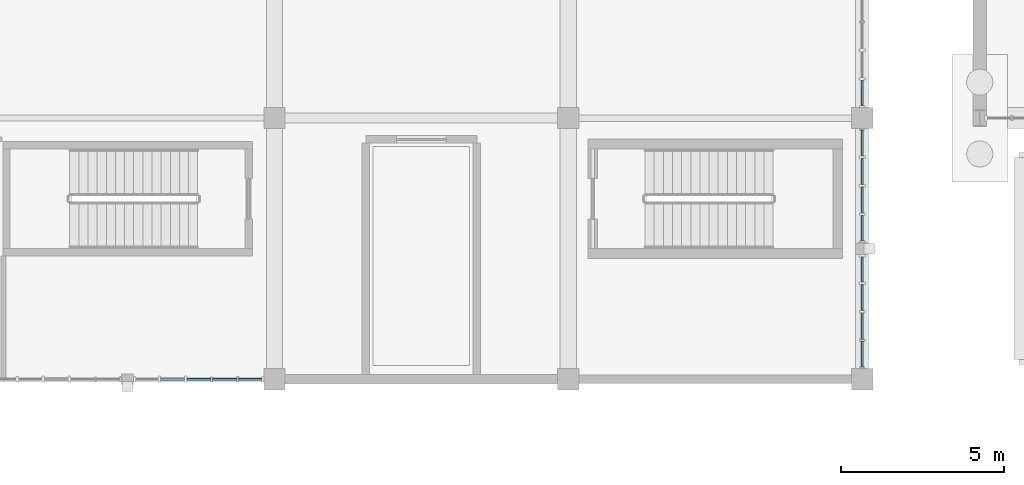
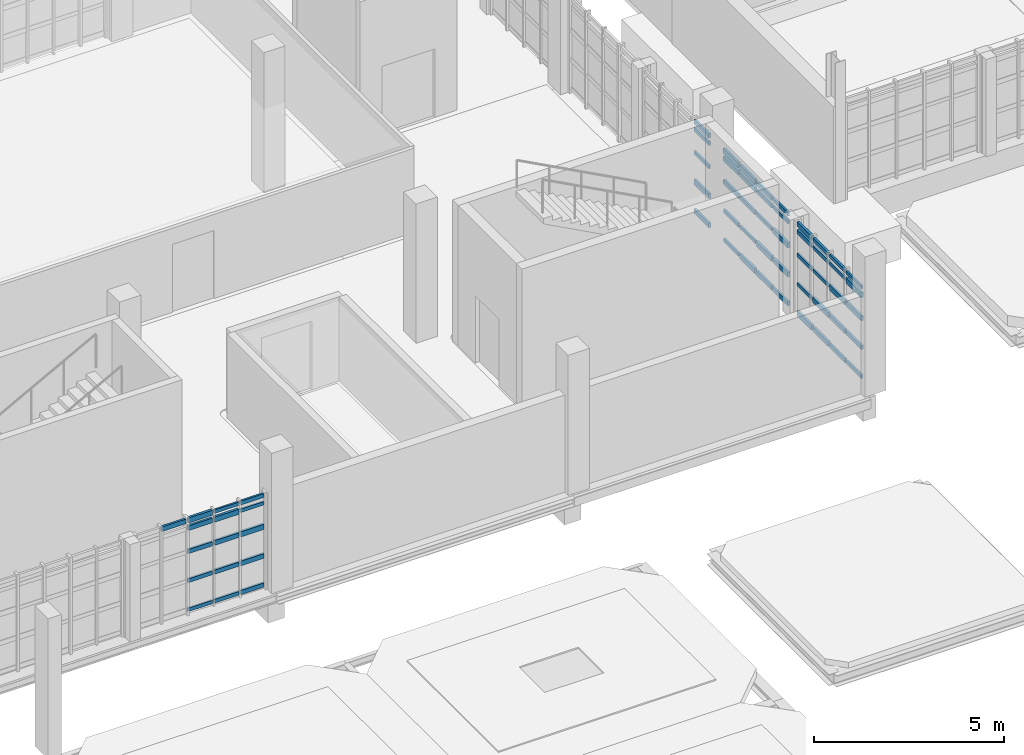
# One storey, part 60 of 125: 61 members, 4 elements without a shape of their own.
"""IFC4 building model written with IfcOpenShell, lengths in metres."""

import ifcopenshell
import ifcopenshell.guid

model = None  # the IFC model being written
_history = None  # IfcOwnerHistory: only IFC2X3 demands one
_inside = {}  # id of a spatial element -> (the spatial element, [elements in it])
_under = {}  # id of a project, library or spatial element -> (it, [spatial elements below it])
_declared = {}  # id of a project -> (the project, [libraries it declares])
_typed = {}  # id of a type object -> (the type object, [elements of that type])
_made_of = {}  # id of a material, layer set ... -> (it, [elements and type objects made of it])


def new_model(schema):
    """Start an empty IFC model of exactly this schema.

    Asked for "IFC4X3", IfcOpenShell would pick the latest addendum, in which some entities
    have other attributes; the version numbers below select the first issue.
    IFC2X3 requires an IfcOwnerHistory on every rooted entity: one is made here for all.
    """
    global model, _history
    if schema == "IFC4X3":
        model = ifcopenshell.file(schema_version=(4, 3, 0, 0))
    else:
        model = ifcopenshell.file(schema=schema)
    _inside.clear()
    _under.clear()
    _declared.clear()
    _typed.clear()
    _made_of.clear()
    _history = None
    if model.schema == "IFC2X3":
        org = make("IfcOrganization", Name="unknown")
        user = make(
            "IfcPersonAndOrganization",
            ThePerson=make("IfcPerson", FamilyName="unknown"),
            TheOrganization=org,
        )
        app = make(
            "IfcApplication",
            ApplicationDeveloper=org,
            Version="unknown",
            ApplicationFullName="unknown",
            ApplicationIdentifier="unknown",
        )
        _history = make(
            "IfcOwnerHistory",
            OwningUser=user,
            OwningApplication=app,
            ChangeAction="ADDED",
            CreationDate=0,
        )
    return model


def make(cls, **values):
    """One entity of the class cls with the attributes given. An attribute that is None is left unset."""
    return model.create_entity(
        cls, **{name: value for name, value in values.items() if value is not None}
    )


def rooted(cls, **values):
    """An entity with a GlobalId (a new one), such as an element, a storey or a relation."""
    return make(cls, GlobalId=ifcopenshell.guid.new(), OwnerHistory=_history, **values)


def si_unit(unit_type, name, prefix=None):
    """IfcSIUnit, for example si_unit("LENGTHUNIT", "METRE", prefix="MILLI")."""
    return make("IfcSIUnit", UnitType=unit_type, Prefix=prefix, Name=name)


def assignment(units):
    """IfcUnitAssignment: the units of a project."""
    return None if units is None else make("IfcUnitAssignment", Units=units)


def point(xyz):
    """IfcCartesianPoint."""
    return None if xyz is None else make("IfcCartesianPoint", Coordinates=xyz)


def direction(xyz):
    """IfcDirection."""
    return None if xyz is None else make("IfcDirection", DirectionRatios=xyz)


def frame(location, z_axis=None, x_axis=None):
    """IfcAxis2Placement3D, a coordinate frame: its origin and axes. An axis left out is left unset."""
    return make(
        "IfcAxis2Placement3D",
        Location=point(location),
        Axis=direction(z_axis),
        RefDirection=direction(x_axis),
    )


def frame_2d(location, x_axis=None):
    """IfcAxis2Placement2D, a coordinate frame in the plane: its origin and x axis."""
    return make(
        "IfcAxis2Placement2D", Location=point(location), RefDirection=direction(x_axis)
    )


def origin():
    """The frame at (0, 0, 0) with its axes left unset."""
    return frame((0.0, 0.0, 0.0))


def origin_2d():
    """The frame at (0, 0) in the plane with its x axis left unset."""
    return frame_2d((0.0, 0.0))


def place(relative_to, where):
    """IfcLocalPlacement: puts the frame where relative to a parent placement (None: the world)."""
    return make(
        "IfcLocalPlacement", PlacementRelTo=relative_to, RelativePlacement=where
    )


def context(
    kind, dimensions, precision=None, world=None, true_north=None, identifier=None
):
    """IfcGeometricRepresentationContext, for example the 3D "Model" context."""
    return make(
        "IfcGeometricRepresentationContext",
        ContextIdentifier=identifier,
        ContextType=kind,
        CoordinateSpaceDimension=dimensions,
        Precision=precision,
        WorldCoordinateSystem=world,
        TrueNorth=true_north,
    )


def subcontext(parent, identifier, kind, view, scale=None):
    """IfcGeometricRepresentationSubContext, for example "Body" below "Model"."""
    return make(
        "IfcGeometricRepresentationSubContext",
        ContextIdentifier=identifier,
        ContextType=kind,
        ParentContext=parent,
        TargetScale=scale,
        TargetView=view,
    )


def project(units=None, contexts=None):
    """IfcProject with its units and contexts."""
    return rooted(
        "IfcProject",
        Name="project",
        RepresentationContexts=contexts,
        UnitsInContext=assignment(units),
    )


def spatial(cls, under=None, at=None, **own):
    """A site, building, storey or space (cls), placed at a placement, below another one or the project."""
    s = rooted(cls, ObjectPlacement=at, **own)
    if under is not None:
        _under.setdefault(under.id(), (under, []))[1].append(s)
    return s


def profile(cls, at=None, kind="AREA", **sizes):
    """A parametric profile (cls). Its sizes go by their IFC names, for example OverallWidth=200.0."""
    return make(cls, ProfileType=kind, Position=at, **sizes)


def rectangle(**sizes):
    """IfcRectangleProfileDef."""
    return profile("IfcRectangleProfileDef", **sizes)


def extrude(swept, where, along, depth):
    """IfcExtrudedAreaSolid: the profile swept, set in the frame where, extruded along a direction by depth."""
    return make(
        "IfcExtrudedAreaSolid",
        SweptArea=swept,
        Position=where,
        ExtrudedDirection=direction(along),
        Depth=depth,
    )


def shape(context_of_items, identifier, shape_type, items):
    """IfcShapeRepresentation: the items that make up one representation, for example the "Body"."""
    return make(
        "IfcShapeRepresentation",
        ContextOfItems=context_of_items,
        RepresentationIdentifier=identifier,
        RepresentationType=shape_type,
        Items=items,
    )


def material(Name=None, Category=None):
    """IfcMaterial."""
    return make("IfcMaterial", Name=Name, Category=Category)


def material_profile(
    of_material, cross_section, Name=None, Category=None, Priority=None
):
    """IfcMaterialProfile: a cross section and its material."""
    return make(
        "IfcMaterialProfile",
        Name=Name,
        Material=of_material,
        Profile=cross_section,
        Priority=Priority,
        Category=Category,
    )


def profile_set(profiles, Name=None, composite=None):
    """IfcMaterialProfileSet."""
    return make(
        "IfcMaterialProfileSet",
        Name=Name,
        MaterialProfiles=profiles,
        CompositeProfile=composite,
    )


def made_of(thing, what):
    """Note that an element or type object is made of a material, layer set ...; save() writes the relation."""
    if what is not None:
        _made_of.setdefault(what.id(), (what, []))[1].append(thing)
    return thing


def type_object(cls, material=None, **own):
    """A type object (cls), such as IfcWallType, which elements share."""
    return made_of(rooted(cls, **own), material)


def element(
    cls,
    number,
    at=None,
    inside=None,
    cuts=None,
    type_object=None,
    material=None,
    context=None,
    identifier="Body",
    shape_type=None,
    held_by="IfcProductDefinitionShape",
    body=None,
    shapes=None,
    **own,
):
    """One element of the class cls, such as IfcWall. Its Tag is "e" and its number.

    at: its placement. inside: the storey or other place that contains it. cuts: it is an
    opening in that element (IfcRelVoidsElement). A single representation is given by context,
    identifier, shape_type and body (its items); several are given by shapes. held_by: the class
    of the entity that holds the representations. save() writes the other relations.
    """
    e = rooted(cls, Tag="e%d" % number, ObjectPlacement=at, **own)
    if body is not None:
        shapes = [shape(context, identifier, shape_type, body)]
    if shapes is not None:
        e.Representation = make(held_by, Representations=shapes)
    if inside is not None:
        _inside.setdefault(inside.id(), (inside, []))[1].append(e)
    if cuts is not None:
        rooted(
            "IfcRelVoidsElement", RelatingBuildingElement=cuts, RelatedOpeningElement=e
        )
    if type_object is not None:
        _typed.setdefault(type_object.id(), (type_object, []))[1].append(e)
    return made_of(e, material)


def aggregate(whole, parts):
    """IfcRelAggregates: a whole, such as a stair, and the parts it consists of."""
    return rooted("IfcRelAggregates", RelatingObject=whole, RelatedObjects=parts)


def save(model, path):
    """Write the relations noted so far, then the file.

    IfcRelAggregates (storeys below a building ...), IfcRelContainedInSpatialStructure (elements
    in a storey), IfcRelDefinesByType, IfcRelAssociatesMaterial and IfcRelDeclares: one each for
    every whole, place, type object, material and project.
    """
    for whole, parts in _under.values():
        aggregate(whole, parts)
    for where, things in _inside.values():
        rooted(
            "IfcRelContainedInSpatialStructure",
            RelatedElements=things,
            RelatingStructure=where,
        )
    for kind, things in _typed.values():
        rooted("IfcRelDefinesByType", RelatedObjects=things, RelatingType=kind)
    for what, things in _made_of.values():
        rooted("IfcRelAssociatesMaterial", RelatedObjects=things, RelatingMaterial=what)
    for by, libraries in _declared.values():
        rooted("IfcRelDeclares", RelatingContext=by, RelatedDefinitions=libraries)
    model.write(path)


model = new_model("IFC4")

# Units and contexts
model_context = context("Model", 3, precision=1e-05, world=origin(), true_north=direction((0.0, 1.0)))
body_context = subcontext(model_context, "Body", "Model", "MODEL_VIEW")
ifc_project = project(units=[si_unit("LENGTHUNIT", "METRE"), si_unit("AREAUNIT", "SQUARE_METRE"), si_unit("VOLUMEUNIT", "CUBIC_METRE"), si_unit("PLANEANGLEUNIT", "RADIAN"), si_unit("MASSUNIT", "GRAM", prefix="KILO")], contexts=[model_context])

# Site, building, storey
site_placement = place(None, origin())
site = spatial("IfcSite", under=ifc_project, at=site_placement, CompositionType="ELEMENT")
building_placement = place(site_placement, origin())
building = spatial("IfcBuilding", under=site, at=building_placement, Name="Serraforn Aerial Cableway Station", CompositionType="ELEMENT")
storey_placement = place(building_placement, frame((0.0, 0.0, 4.5)))
storey = spatial("IfcBuildingStorey", under=building, at=storey_placement, Name="L01", CompositionType="ELEMENT", Elevation=4.5)

# Curtain wall, members
ifc_material_1 = material(Name="Anodised bronze unitised curtain wall")
curtain_wall_type_1 = type_object("IfcCurtainWallType", Name="CW-SYS-26", PredefinedType="USERDEFINED", material=ifc_material_1)
curtain_wall_1_placement = place(storey_placement, origin())
curtain_wall_1 = element("IfcCurtainWall", 1, at=curtain_wall_1_placement, inside=storey, type_object=curtain_wall_type_1, Name="Unitised Curtain Wall CW-CV-L01-S5B", ObjectType="UNITISED CURTAIN WALL", PredefinedType="USERDEFINED")
ifc_material_2 = material(Name="Anodised bronze extruded aluminium", Category="aluminium")
ifc_material_profile_1 = material_profile(ifc_material_2, rectangle(XDim=0.054931640625, YDim=0.110107421875, at=origin_2d()), Name="CW TRANSOM 55x110")
ifc_profile_set_1 = profile_set([ifc_material_profile_1], Name="Anodised bronze extruded aluminium")
member_type_1 = type_object("IfcMemberType", Name="CW-TRN-1", PredefinedType="USERDEFINED", material=ifc_profile_set_1)
member_1_placement = place(storey_placement, frame((69.914306640625, 18.0, 0.124755859375), z_axis=(1.0, 0.0, 0.0), x_axis=(0.0, 1.0, 0.0)))
member_1 = element("IfcMember", 2, at=member_1_placement, type_object=member_type_1, Name="Curtain Wall Transom CW-CV-L01-S5B-T3-1", ObjectType="TRANSOM", PredefinedType="USERDEFINED", context=body_context, shape_type="SweptSolid", body=[
    extrude(rectangle(XDim=0.054931640625, YDim=0.110107421875, at=origin_2d()), origin(), (0.0, 0.0, 1.0), 0.73828125),
])
member_2_placement = place(storey_placement, frame((70.70361328125, 18.0, 2.9951171875), z_axis=(1.0, 0.0, 0.0), x_axis=(0.0, 1.0, 0.0)))
member_2 = element("IfcMember", 3, at=member_2_placement, type_object=member_type_1, Name="Curtain Wall Transom CW-CV-L01-S5B-T4-5", ObjectType="TRANSOM", PredefinedType="USERDEFINED", context=body_context, shape_type="SweptSolid", body=[
    extrude(rectangle(XDim=0.054931640625, YDim=0.110107421875, at=origin_2d()), origin(), (0.0, 0.0, 1.0), 0.74609375),
])
member_3_placement = place(storey_placement, frame((71.505615234375, 18.0, 2.74560546875), z_axis=(1.0, 0.0, 0.0), x_axis=(0.0, 1.0, 0.0)))
member_3 = element("IfcMember", 4, at=member_3_placement, type_object=member_type_1, Name="Curtain Wall Transom CW-CV-L01-S5B-T5-4", ObjectType="TRANSOM", PredefinedType="USERDEFINED", context=body_context, shape_type="SweptSolid", body=[
    extrude(rectangle(XDim=0.054931640625, YDim=0.110107421875, at=origin_2d()), origin(), (0.0, 0.0, 1.0), 0.70849609375),
])

curtain_wall_type_2 = type_object("IfcCurtainWallType", Name="CW-SYS-1", PredefinedType="USERDEFINED", material=ifc_material_1)
curtain_wall_2_placement = place(storey_placement, origin())
curtain_wall_2 = element("IfcCurtainWall", 5, at=curtain_wall_2_placement, inside=storey, type_object=curtain_wall_type_2, Name="Unitised Curtain Wall CW-CV-L01-E1A", ObjectType="UNITISED CURTAIN WALL", PredefinedType="USERDEFINED")
member_4_placement = place(storey_placement, frame((90.60009765625, 18.3759765625, 2.9951171875), z_axis=(0.0, 1.0, 0.0), x_axis=(-1.0, 0.0, 0.0)))
member_4 = element("IfcMember", 6, at=member_4_placement, type_object=member_type_1, Name="Curtain Wall Transom CW-CV-L01-E1A-T1-5", ObjectType="TRANSOM", PredefinedType="USERDEFINED", context=body_context, shape_type="SweptSolid", body=[
    extrude(rectangle(XDim=0.054931640625, YDim=0.110107421875, at=origin_2d()), origin(), (0.0, 0.0, 1.0), 0.793212890625),
])
member_5_placement = place(storey_placement, frame((90.60009765625, 19.22509765625, 2.74560546875), z_axis=(0.0, 1.0, 0.0), x_axis=(-1.0, 0.0, 0.0)))
member_5 = element("IfcMember", 7, at=member_5_placement, type_object=member_type_1, Name="Curtain Wall Transom CW-CV-L01-E1A-T2-4", ObjectType="TRANSOM", PredefinedType="USERDEFINED", context=body_context, shape_type="SweptSolid", body=[
    extrude(rectangle(XDim=0.054931640625, YDim=0.110107421875, at=origin_2d()), origin(), (0.0, 0.0, 1.0), 0.81591796875),
])
member_6_placement = place(storey_placement, frame((90.60009765625, 20.10205078125, 1.996826171875), z_axis=(0.0, 1.0, 0.0), x_axis=(-1.0, 0.0, 0.0)))
member_6 = element("IfcMember", 8, at=member_6_placement, type_object=member_type_1, Name="Curtain Wall Transom CW-CV-L01-E1A-T3-3", ObjectType="TRANSOM", PredefinedType="USERDEFINED", context=body_context, shape_type="SweptSolid", body=[
    extrude(rectangle(XDim=0.054931640625, YDim=0.110107421875, at=origin_2d()), origin(), (0.0, 0.0, 1.0), 0.810546875),
])
member_7_placement = place(storey_placement, frame((90.60009765625, 20.978759765625, 1.060791015625), z_axis=(0.0, 1.0, 0.0), x_axis=(-1.0, 0.0, 0.0)))
member_7 = element("IfcMember", 9, at=member_7_placement, type_object=member_type_1, Name="Curtain Wall Transom CW-CV-L01-E1A-T4-2", ObjectType="TRANSOM", PredefinedType="USERDEFINED", context=body_context, shape_type="SweptSolid", body=[
    extrude(rectangle(XDim=0.054931640625, YDim=0.110107421875, at=origin_2d()), origin(), (0.0, 0.0, 1.0), 0.768310546875),
])

curtain_wall_type_3 = type_object("IfcCurtainWallType", Name="CW-SYS-2", PredefinedType="USERDEFINED", material=ifc_material_1)
curtain_wall_3_placement = place(storey_placement, origin())
curtain_wall_3 = element("IfcCurtainWall", 10, at=curtain_wall_3_placement, inside=storey, type_object=curtain_wall_type_3, Name="Unitised Curtain Wall CW-CV-L01-E1B", ObjectType="UNITISED CURTAIN WALL", PredefinedType="USERDEFINED")
member_8_placement = place(storey_placement, frame((90.60009765625, 22.238037109375, 2.74560546875), z_axis=(0.0, 1.0, 0.0), x_axis=(-1.0, 0.0, 0.0)))
member_8 = element("IfcMember", 11, at=member_8_placement, type_object=member_type_1, Name="Curtain Wall Transom CW-CV-L01-E1B-T1-4", ObjectType="TRANSOM", PredefinedType="USERDEFINED", context=body_context, shape_type="SweptSolid", body=[
    extrude(rectangle(XDim=0.054931640625, YDim=0.110107421875, at=origin_2d()), origin(), (0.0, 0.0, 1.0), 0.78564453125),
])
member_9_placement = place(storey_placement, frame((90.60009765625, 23.084716796875, 1.996826171875), z_axis=(0.0, 1.0, 0.0), x_axis=(-1.0, 0.0, 0.0)))
member_9 = element("IfcMember", 12, at=member_9_placement, type_object=member_type_1, Name="Curtain Wall Transom CW-CV-L01-E1B-T2-3", ObjectType="TRANSOM", PredefinedType="USERDEFINED", context=body_context, shape_type="SweptSolid", body=[
    extrude(rectangle(XDim=0.054931640625, YDim=0.110107421875, at=origin_2d()), origin(), (0.0, 0.0, 1.0), 0.810791015625),
])
member_10_placement = place(storey_placement, frame((90.60009765625, 23.96142578125, 1.060791015625), z_axis=(0.0, 1.0, 0.0), x_axis=(-1.0, 0.0, 0.0)))
member_10 = element("IfcMember", 13, at=member_10_placement, type_object=member_type_1, Name="Curtain Wall Transom CW-CV-L01-E1B-T3-2", ObjectType="TRANSOM", PredefinedType="USERDEFINED", context=body_context, shape_type="SweptSolid", body=[
    extrude(rectangle(XDim=0.054931640625, YDim=0.110107421875, at=origin_2d()), origin(), (0.0, 0.0, 1.0), 0.805908203125),
])
member_11_placement = place(storey_placement, frame((90.60009765625, 24.838134765625, 0.124755859375), z_axis=(0.0, 1.0, 0.0), x_axis=(-1.0, 0.0, 0.0)))
member_11 = element("IfcMember", 14, at=member_11_placement, type_object=member_type_1, Name="Curtain Wall Transom CW-CV-L01-E1B-T4-1", ObjectType="TRANSOM", PredefinedType="USERDEFINED", context=body_context, shape_type="SweptSolid", body=[
    extrude(rectangle(XDim=0.054931640625, YDim=0.110107421875, at=origin_2d()), origin(), (0.0, 0.0, 1.0), 0.785888671875),
])

# Curtain wall, member
curtain_wall_type_4 = type_object("IfcCurtainWallType", Name="CW-SYS-3", PredefinedType="USERDEFINED", material=ifc_material_1)
curtain_wall_4_placement = place(storey_placement, origin())
curtain_wall_4 = element("IfcCurtainWall", 15, at=curtain_wall_4_placement, inside=storey, type_object=curtain_wall_type_4, Name="Unitised Curtain Wall CW-CV-L01-E2A", ObjectType="UNITISED CURTAIN WALL", PredefinedType="USERDEFINED")
member_12_placement = place(storey_placement, frame((90.60009765625, 26.385986328125, 1.996826171875), z_axis=(0.0, 1.0, 0.0), x_axis=(-1.0, 0.0, 0.0)))
member_12 = element("IfcMember", 16, at=member_12_placement, type_object=member_type_1, Name="Curtain Wall Transom CW-CV-L01-E2A-T1-3", ObjectType="TRANSOM", PredefinedType="USERDEFINED", context=body_context, shape_type="SweptSolid", body=[
    extrude(rectangle(XDim=0.054931640625, YDim=0.110107421875, at=origin_2d()), origin(), (0.0, 0.0, 1.0), 0.7783203125),
])

# Member
ifc_material_profile_2 = material_profile(ifc_material_2, rectangle(XDim=0.06005859375, YDim=0.1201171875, at=origin_2d()), Name="CW TRANSOM 60x120")
ifc_profile_set_2 = profile_set([ifc_material_profile_2], Name="Anodised bronze extruded aluminium")
member_type_2 = type_object("IfcMemberType", Name="CW-TRN-2", PredefinedType="USERDEFINED", material=ifc_profile_set_2)
member_13_placement = place(storey_placement, frame((69.914306640625, 18.0, 1.060791015625), z_axis=(1.0, 0.0, 0.0), x_axis=(0.0, 1.0, 0.0)))
member_13 = element("IfcMember", 17, at=member_13_placement, type_object=member_type_2, Name="Curtain Wall Transom CW-CV-L01-S5B-T3-2", ObjectType="TRANSOM", PredefinedType="USERDEFINED", context=body_context, shape_type="SweptSolid", body=[
    extrude(rectangle(XDim=0.06005859375, YDim=0.1201171875, at=origin_2d()), origin(), (0.0, 0.0, 1.0), 0.73828125),
])

member_14_placement = place(storey_placement, frame((70.70361328125, 18.0, 0.124755859375), z_axis=(1.0, 0.0, 0.0), x_axis=(0.0, 1.0, 0.0)))
member_14 = element("IfcMember", 18, at=member_14_placement, type_object=member_type_2, Name="Curtain Wall Transom CW-CV-L01-S5B-T4-1", ObjectType="TRANSOM", PredefinedType="USERDEFINED", context=body_context, shape_type="SweptSolid", body=[
    extrude(rectangle(XDim=0.06005859375, YDim=0.1201171875, at=origin_2d()), origin(), (0.0, 0.0, 1.0), 0.74609375),
])

member_15_placement = place(storey_placement, frame((71.505615234375, 18.0, 2.9951171875), z_axis=(1.0, 0.0, 0.0), x_axis=(0.0, 1.0, 0.0)))
member_15 = element("IfcMember", 19, at=member_15_placement, type_object=member_type_2, Name="Curtain Wall Transom CW-CV-L01-S5B-T5-5", ObjectType="TRANSOM", PredefinedType="USERDEFINED", context=body_context, shape_type="SweptSolid", body=[
    extrude(rectangle(XDim=0.06005859375, YDim=0.1201171875, at=origin_2d()), origin(), (0.0, 0.0, 1.0), 0.70849609375),
])

member_16_placement = place(storey_placement, frame((90.60009765625, 18.3759765625, 0.124755859375), z_axis=(0.0, 1.0, 0.0), x_axis=(-1.0, 0.0, 0.0)))
member_16 = element("IfcMember", 20, at=member_16_placement, type_object=member_type_2, Name="Curtain Wall Transom CW-CV-L01-E1A-T1-1", ObjectType="TRANSOM", PredefinedType="USERDEFINED", context=body_context, shape_type="SweptSolid", body=[
    extrude(rectangle(XDim=0.06005859375, YDim=0.1201171875, at=origin_2d()), origin(), (0.0, 0.0, 1.0), 0.793212890625),
])

member_17_placement = place(storey_placement, frame((90.60009765625, 19.22509765625, 2.9951171875), z_axis=(0.0, 1.0, 0.0), x_axis=(-1.0, 0.0, 0.0)))
member_17 = element("IfcMember", 21, at=member_17_placement, type_object=member_type_2, Name="Curtain Wall Transom CW-CV-L01-E1A-T2-5", ObjectType="TRANSOM", PredefinedType="USERDEFINED", context=body_context, shape_type="SweptSolid", body=[
    extrude(rectangle(XDim=0.06005859375, YDim=0.1201171875, at=origin_2d()), origin(), (0.0, 0.0, 1.0), 0.81591796875),
])

member_18_placement = place(storey_placement, frame((90.60009765625, 20.10205078125, 2.74560546875), z_axis=(0.0, 1.0, 0.0), x_axis=(-1.0, 0.0, 0.0)))
member_18 = element("IfcMember", 22, at=member_18_placement, type_object=member_type_2, Name="Curtain Wall Transom CW-CV-L01-E1A-T3-4", ObjectType="TRANSOM", PredefinedType="USERDEFINED", context=body_context, shape_type="SweptSolid", body=[
    extrude(rectangle(XDim=0.06005859375, YDim=0.1201171875, at=origin_2d()), origin(), (0.0, 0.0, 1.0), 0.810546875),
])

member_19_placement = place(storey_placement, frame((90.60009765625, 20.978759765625, 1.996826171875), z_axis=(0.0, 1.0, 0.0), x_axis=(-1.0, 0.0, 0.0)))
member_19 = element("IfcMember", 23, at=member_19_placement, type_object=member_type_2, Name="Curtain Wall Transom CW-CV-L01-E1A-T4-3", ObjectType="TRANSOM", PredefinedType="USERDEFINED", context=body_context, shape_type="SweptSolid", body=[
    extrude(rectangle(XDim=0.06005859375, YDim=0.1201171875, at=origin_2d()), origin(), (0.0, 0.0, 1.0), 0.768310546875),
])

member_20_placement = place(storey_placement, frame((90.60009765625, 22.238037109375, 2.9951171875), z_axis=(0.0, 1.0, 0.0), x_axis=(-1.0, 0.0, 0.0)))
member_20 = element("IfcMember", 24, at=member_20_placement, type_object=member_type_2, Name="Curtain Wall Transom CW-CV-L01-E1B-T1-5", ObjectType="TRANSOM", PredefinedType="USERDEFINED", context=body_context, shape_type="SweptSolid", body=[
    extrude(rectangle(XDim=0.06005859375, YDim=0.1201171875, at=origin_2d()), origin(), (0.0, 0.0, 1.0), 0.78564453125),
])

member_21_placement = place(storey_placement, frame((90.60009765625, 23.084716796875, 2.74560546875), z_axis=(0.0, 1.0, 0.0), x_axis=(-1.0, 0.0, 0.0)))
member_21 = element("IfcMember", 25, at=member_21_placement, type_object=member_type_2, Name="Curtain Wall Transom CW-CV-L01-E1B-T2-4", ObjectType="TRANSOM", PredefinedType="USERDEFINED", context=body_context, shape_type="SweptSolid", body=[
    extrude(rectangle(XDim=0.06005859375, YDim=0.1201171875, at=origin_2d()), origin(), (0.0, 0.0, 1.0), 0.810791015625),
])

member_22_placement = place(storey_placement, frame((90.60009765625, 23.96142578125, 1.996826171875), z_axis=(0.0, 1.0, 0.0), x_axis=(-1.0, 0.0, 0.0)))
member_22 = element("IfcMember", 26, at=member_22_placement, type_object=member_type_2, Name="Curtain Wall Transom CW-CV-L01-E1B-T3-3", ObjectType="TRANSOM", PredefinedType="USERDEFINED", context=body_context, shape_type="SweptSolid", body=[
    extrude(rectangle(XDim=0.06005859375, YDim=0.1201171875, at=origin_2d()), origin(), (0.0, 0.0, 1.0), 0.805908203125),
])

member_23_placement = place(storey_placement, frame((90.60009765625, 24.838134765625, 1.060791015625), z_axis=(0.0, 1.0, 0.0), x_axis=(-1.0, 0.0, 0.0)))
member_23 = element("IfcMember", 27, at=member_23_placement, type_object=member_type_2, Name="Curtain Wall Transom CW-CV-L01-E1B-T4-2", ObjectType="TRANSOM", PredefinedType="USERDEFINED", context=body_context, shape_type="SweptSolid", body=[
    extrude(rectangle(XDim=0.06005859375, YDim=0.1201171875, at=origin_2d()), origin(), (0.0, 0.0, 1.0), 0.785888671875),
])

member_24_placement = place(storey_placement, frame((90.60009765625, 26.385986328125, 2.74560546875), z_axis=(0.0, 1.0, 0.0), x_axis=(-1.0, 0.0, 0.0)))
member_24 = element("IfcMember", 28, at=member_24_placement, type_object=member_type_2, Name="Curtain Wall Transom CW-CV-L01-E2A-T1-4", ObjectType="TRANSOM", PredefinedType="USERDEFINED", context=body_context, shape_type="SweptSolid", body=[
    extrude(rectangle(XDim=0.06005859375, YDim=0.1201171875, at=origin_2d()), origin(), (0.0, 0.0, 1.0), 0.7783203125),
])

ifc_material_profile_3 = material_profile(ifc_material_2, rectangle(XDim=0.06494140625, YDim=0.135009765625, at=origin_2d()), Name="CW TRANSOM 65x135")
ifc_profile_set_3 = profile_set([ifc_material_profile_3], Name="Anodised bronze extruded aluminium")
member_type_3 = type_object("IfcMemberType", Name="CW-TRN-3", PredefinedType="USERDEFINED", material=ifc_profile_set_3)
member_25_placement = place(storey_placement, frame((69.914306640625, 18.0, 1.996826171875), z_axis=(1.0, 0.0, 0.0), x_axis=(0.0, 1.0, 0.0)))
member_25 = element("IfcMember", 29, at=member_25_placement, type_object=member_type_3, Name="Curtain Wall Transom CW-CV-L01-S5B-T3-3", ObjectType="TRANSOM", PredefinedType="USERDEFINED", context=body_context, shape_type="SweptSolid", body=[
    extrude(rectangle(XDim=0.06494140625, YDim=0.135009765625, at=origin_2d()), origin(), (0.0, 0.0, 1.0), 0.73828125),
])

member_26_placement = place(storey_placement, frame((70.70361328125, 18.0, 1.060791015625), z_axis=(1.0, 0.0, 0.0), x_axis=(0.0, 1.0, 0.0)))
member_26 = element("IfcMember", 30, at=member_26_placement, type_object=member_type_3, Name="Curtain Wall Transom CW-CV-L01-S5B-T4-2", ObjectType="TRANSOM", PredefinedType="USERDEFINED", context=body_context, shape_type="SweptSolid", body=[
    extrude(rectangle(XDim=0.06494140625, YDim=0.135009765625, at=origin_2d()), origin(), (0.0, 0.0, 1.0), 0.74609375),
])

member_27_placement = place(storey_placement, frame((71.505615234375, 18.0, 0.124755859375), z_axis=(1.0, 0.0, 0.0), x_axis=(0.0, 1.0, 0.0)))
member_27 = element("IfcMember", 31, at=member_27_placement, type_object=member_type_3, Name="Curtain Wall Transom CW-CV-L01-S5B-T5-1", ObjectType="TRANSOM", PredefinedType="USERDEFINED", context=body_context, shape_type="SweptSolid", body=[
    extrude(rectangle(XDim=0.06494140625, YDim=0.135009765625, at=origin_2d()), origin(), (0.0, 0.0, 1.0), 0.70849609375),
])

member_28_placement = place(storey_placement, frame((90.60009765625, 18.3759765625, 1.060791015625), z_axis=(0.0, 1.0, 0.0), x_axis=(-1.0, 0.0, 0.0)))
member_28 = element("IfcMember", 32, at=member_28_placement, type_object=member_type_3, Name="Curtain Wall Transom CW-CV-L01-E1A-T1-2", ObjectType="TRANSOM", PredefinedType="USERDEFINED", context=body_context, shape_type="SweptSolid", body=[
    extrude(rectangle(XDim=0.06494140625, YDim=0.135009765625, at=origin_2d()), origin(), (0.0, 0.0, 1.0), 0.793212890625),
])

member_29_placement = place(storey_placement, frame((90.60009765625, 19.22509765625, 0.124755859375), z_axis=(0.0, 1.0, 0.0), x_axis=(-1.0, 0.0, 0.0)))
member_29 = element("IfcMember", 33, at=member_29_placement, type_object=member_type_3, Name="Curtain Wall Transom CW-CV-L01-E1A-T2-1", ObjectType="TRANSOM", PredefinedType="USERDEFINED", context=body_context, shape_type="SweptSolid", body=[
    extrude(rectangle(XDim=0.06494140625, YDim=0.135009765625, at=origin_2d()), origin(), (0.0, 0.0, 1.0), 0.81591796875),
])

member_30_placement = place(storey_placement, frame((90.60009765625, 20.10205078125, 2.9951171875), z_axis=(0.0, 1.0, 0.0), x_axis=(-1.0, 0.0, 0.0)))
member_30 = element("IfcMember", 34, at=member_30_placement, type_object=member_type_3, Name="Curtain Wall Transom CW-CV-L01-E1A-T3-5", ObjectType="TRANSOM", PredefinedType="USERDEFINED", context=body_context, shape_type="SweptSolid", body=[
    extrude(rectangle(XDim=0.06494140625, YDim=0.135009765625, at=origin_2d()), origin(), (0.0, 0.0, 1.0), 0.810546875),
])

member_31_placement = place(storey_placement, frame((90.60009765625, 20.978759765625, 2.74560546875), z_axis=(0.0, 1.0, 0.0), x_axis=(-1.0, 0.0, 0.0)))
member_31 = element("IfcMember", 35, at=member_31_placement, type_object=member_type_3, Name="Curtain Wall Transom CW-CV-L01-E1A-T4-4", ObjectType="TRANSOM", PredefinedType="USERDEFINED", context=body_context, shape_type="SweptSolid", body=[
    extrude(rectangle(XDim=0.06494140625, YDim=0.135009765625, at=origin_2d()), origin(), (0.0, 0.0, 1.0), 0.768310546875),
])

member_32_placement = place(storey_placement, frame((90.60009765625, 22.238037109375, 0.124755859375), z_axis=(0.0, 1.0, 0.0), x_axis=(-1.0, 0.0, 0.0)))
member_32 = element("IfcMember", 36, at=member_32_placement, type_object=member_type_3, Name="Curtain Wall Transom CW-CV-L01-E1B-T1-1", ObjectType="TRANSOM", PredefinedType="USERDEFINED", context=body_context, shape_type="SweptSolid", body=[
    extrude(rectangle(XDim=0.06494140625, YDim=0.135009765625, at=origin_2d()), origin(), (0.0, 0.0, 1.0), 0.78564453125),
])

member_33_placement = place(storey_placement, frame((90.60009765625, 23.084716796875, 2.9951171875), z_axis=(0.0, 1.0, 0.0), x_axis=(-1.0, 0.0, 0.0)))
member_33 = element("IfcMember", 37, at=member_33_placement, type_object=member_type_3, Name="Curtain Wall Transom CW-CV-L01-E1B-T2-5", ObjectType="TRANSOM", PredefinedType="USERDEFINED", context=body_context, shape_type="SweptSolid", body=[
    extrude(rectangle(XDim=0.06494140625, YDim=0.135009765625, at=origin_2d()), origin(), (0.0, 0.0, 1.0), 0.810791015625),
])

member_34_placement = place(storey_placement, frame((90.60009765625, 23.96142578125, 2.74560546875), z_axis=(0.0, 1.0, 0.0), x_axis=(-1.0, 0.0, 0.0)))
member_34 = element("IfcMember", 38, at=member_34_placement, type_object=member_type_3, Name="Curtain Wall Transom CW-CV-L01-E1B-T3-4", ObjectType="TRANSOM", PredefinedType="USERDEFINED", context=body_context, shape_type="SweptSolid", body=[
    extrude(rectangle(XDim=0.06494140625, YDim=0.135009765625, at=origin_2d()), origin(), (0.0, 0.0, 1.0), 0.805908203125),
])

member_35_placement = place(storey_placement, frame((90.60009765625, 24.838134765625, 1.996826171875), z_axis=(0.0, 1.0, 0.0), x_axis=(-1.0, 0.0, 0.0)))
member_35 = element("IfcMember", 39, at=member_35_placement, type_object=member_type_3, Name="Curtain Wall Transom CW-CV-L01-E1B-T4-3", ObjectType="TRANSOM", PredefinedType="USERDEFINED", context=body_context, shape_type="SweptSolid", body=[
    extrude(rectangle(XDim=0.06494140625, YDim=0.135009765625, at=origin_2d()), origin(), (0.0, 0.0, 1.0), 0.785888671875),
])

member_36_placement = place(storey_placement, frame((90.60009765625, 26.385986328125, 2.9951171875), z_axis=(0.0, 1.0, 0.0), x_axis=(-1.0, 0.0, 0.0)))
member_36 = element("IfcMember", 40, at=member_36_placement, type_object=member_type_3, Name="Curtain Wall Transom CW-CV-L01-E2A-T1-5", ObjectType="TRANSOM", PredefinedType="USERDEFINED", context=body_context, shape_type="SweptSolid", body=[
    extrude(rectangle(XDim=0.06494140625, YDim=0.135009765625, at=origin_2d()), origin(), (0.0, 0.0, 1.0), 0.7783203125),
])

ifc_material_profile_4 = material_profile(ifc_material_2, rectangle(XDim=0.070068359375, YDim=0.14990234375, at=origin_2d()), Name="CW TRANSOM 70x150")
ifc_profile_set_4 = profile_set([ifc_material_profile_4], Name="Anodised bronze extruded aluminium")
member_type_4 = type_object("IfcMemberType", Name="CW-TRN-4", PredefinedType="USERDEFINED", material=ifc_profile_set_4)
member_37_placement = place(storey_placement, frame((69.1123046875, 18.0, 2.9951171875), z_axis=(1.0, 0.0, 0.0), x_axis=(0.0, 1.0, 0.0)))
member_37 = element("IfcMember", 41, at=member_37_placement, type_object=member_type_4, Name="Curtain Wall Transom CW-CV-L01-S5B-T2-5", ObjectType="TRANSOM", PredefinedType="USERDEFINED", context=body_context, shape_type="SweptSolid", body=[
    extrude(rectangle(XDim=0.070068359375, YDim=0.14990234375, at=origin_2d()), origin(), (0.0, 0.0, 1.0), 0.73095703125),
])

member_38_placement = place(storey_placement, frame((69.914306640625, 18.0, 2.74560546875), z_axis=(1.0, 0.0, 0.0), x_axis=(0.0, 1.0, 0.0)))
member_38 = element("IfcMember", 42, at=member_38_placement, type_object=member_type_4, Name="Curtain Wall Transom CW-CV-L01-S5B-T3-4", ObjectType="TRANSOM", PredefinedType="USERDEFINED", context=body_context, shape_type="SweptSolid", body=[
    extrude(rectangle(XDim=0.070068359375, YDim=0.14990234375, at=origin_2d()), origin(), (0.0, 0.0, 1.0), 0.73828125),
])

member_39_placement = place(storey_placement, frame((70.70361328125, 18.0, 1.996826171875), z_axis=(1.0, 0.0, 0.0), x_axis=(0.0, 1.0, 0.0)))
member_39 = element("IfcMember", 43, at=member_39_placement, type_object=member_type_4, Name="Curtain Wall Transom CW-CV-L01-S5B-T4-3", ObjectType="TRANSOM", PredefinedType="USERDEFINED", context=body_context, shape_type="SweptSolid", body=[
    extrude(rectangle(XDim=0.070068359375, YDim=0.14990234375, at=origin_2d()), origin(), (0.0, 0.0, 1.0), 0.74609375),
])

member_40_placement = place(storey_placement, frame((71.505615234375, 18.0, 1.060791015625), z_axis=(1.0, 0.0, 0.0), x_axis=(0.0, 1.0, 0.0)))
member_40 = element("IfcMember", 44, at=member_40_placement, type_object=member_type_4, Name="Curtain Wall Transom CW-CV-L01-S5B-T5-2", ObjectType="TRANSOM", PredefinedType="USERDEFINED", context=body_context, shape_type="SweptSolid", body=[
    extrude(rectangle(XDim=0.070068359375, YDim=0.14990234375, at=origin_2d()), origin(), (0.0, 0.0, 1.0), 0.70849609375),
])

member_41_placement = place(storey_placement, frame((90.60009765625, 18.3759765625, 1.996826171875), z_axis=(0.0, 1.0, 0.0), x_axis=(-1.0, 0.0, 0.0)))
member_41 = element("IfcMember", 45, at=member_41_placement, type_object=member_type_4, Name="Curtain Wall Transom CW-CV-L01-E1A-T1-3", ObjectType="TRANSOM", PredefinedType="USERDEFINED", context=body_context, shape_type="SweptSolid", body=[
    extrude(rectangle(XDim=0.070068359375, YDim=0.14990234375, at=origin_2d()), origin(), (0.0, 0.0, 1.0), 0.793212890625),
])

member_42_placement = place(storey_placement, frame((90.60009765625, 19.22509765625, 1.060791015625), z_axis=(0.0, 1.0, 0.0), x_axis=(-1.0, 0.0, 0.0)))
member_42 = element("IfcMember", 46, at=member_42_placement, type_object=member_type_4, Name="Curtain Wall Transom CW-CV-L01-E1A-T2-2", ObjectType="TRANSOM", PredefinedType="USERDEFINED", context=body_context, shape_type="SweptSolid", body=[
    extrude(rectangle(XDim=0.070068359375, YDim=0.14990234375, at=origin_2d()), origin(), (0.0, 0.0, 1.0), 0.81591796875),
])

member_43_placement = place(storey_placement, frame((90.60009765625, 20.10205078125, 0.124755859375), z_axis=(0.0, 1.0, 0.0), x_axis=(-1.0, 0.0, 0.0)))
member_43 = element("IfcMember", 47, at=member_43_placement, type_object=member_type_4, Name="Curtain Wall Transom CW-CV-L01-E1A-T3-1", ObjectType="TRANSOM", PredefinedType="USERDEFINED", context=body_context, shape_type="SweptSolid", body=[
    extrude(rectangle(XDim=0.070068359375, YDim=0.14990234375, at=origin_2d()), origin(), (0.0, 0.0, 1.0), 0.810546875),
])

member_44_placement = place(storey_placement, frame((90.60009765625, 20.978759765625, 2.9951171875), z_axis=(0.0, 1.0, 0.0), x_axis=(-1.0, 0.0, 0.0)))
member_44 = element("IfcMember", 48, at=member_44_placement, type_object=member_type_4, Name="Curtain Wall Transom CW-CV-L01-E1A-T4-5", ObjectType="TRANSOM", PredefinedType="USERDEFINED", context=body_context, shape_type="SweptSolid", body=[
    extrude(rectangle(XDim=0.070068359375, YDim=0.14990234375, at=origin_2d()), origin(), (0.0, 0.0, 1.0), 0.768310546875),
])

member_45_placement = place(storey_placement, frame((90.60009765625, 22.238037109375, 1.060791015625), z_axis=(0.0, 1.0, 0.0), x_axis=(-1.0, 0.0, 0.0)))
member_45 = element("IfcMember", 49, at=member_45_placement, type_object=member_type_4, Name="Curtain Wall Transom CW-CV-L01-E1B-T1-2", ObjectType="TRANSOM", PredefinedType="USERDEFINED", context=body_context, shape_type="SweptSolid", body=[
    extrude(rectangle(XDim=0.070068359375, YDim=0.14990234375, at=origin_2d()), origin(), (0.0, 0.0, 1.0), 0.78564453125),
])

member_46_placement = place(storey_placement, frame((90.60009765625, 23.084716796875, 0.124755859375), z_axis=(0.0, 1.0, 0.0), x_axis=(-1.0, 0.0, 0.0)))
member_46 = element("IfcMember", 50, at=member_46_placement, type_object=member_type_4, Name="Curtain Wall Transom CW-CV-L01-E1B-T2-1", ObjectType="TRANSOM", PredefinedType="USERDEFINED", context=body_context, shape_type="SweptSolid", body=[
    extrude(rectangle(XDim=0.070068359375, YDim=0.14990234375, at=origin_2d()), origin(), (0.0, 0.0, 1.0), 0.810791015625),
])

member_47_placement = place(storey_placement, frame((90.60009765625, 23.96142578125, 2.9951171875), z_axis=(0.0, 1.0, 0.0), x_axis=(-1.0, 0.0, 0.0)))
member_47 = element("IfcMember", 51, at=member_47_placement, type_object=member_type_4, Name="Curtain Wall Transom CW-CV-L01-E1B-T3-5", ObjectType="TRANSOM", PredefinedType="USERDEFINED", context=body_context, shape_type="SweptSolid", body=[
    extrude(rectangle(XDim=0.070068359375, YDim=0.14990234375, at=origin_2d()), origin(), (0.0, 0.0, 1.0), 0.805908203125),
])

member_48_placement = place(storey_placement, frame((90.60009765625, 24.838134765625, 2.74560546875), z_axis=(0.0, 1.0, 0.0), x_axis=(-1.0, 0.0, 0.0)))
member_48 = element("IfcMember", 52, at=member_48_placement, type_object=member_type_4, Name="Curtain Wall Transom CW-CV-L01-E1B-T4-4", ObjectType="TRANSOM", PredefinedType="USERDEFINED", context=body_context, shape_type="SweptSolid", body=[
    extrude(rectangle(XDim=0.070068359375, YDim=0.14990234375, at=origin_2d()), origin(), (0.0, 0.0, 1.0), 0.785888671875),
])

member_49_placement = place(storey_placement, frame((90.60009765625, 26.385986328125, 0.124755859375), z_axis=(0.0, 1.0, 0.0), x_axis=(-1.0, 0.0, 0.0)))
member_49 = element("IfcMember", 53, at=member_49_placement, type_object=member_type_4, Name="Curtain Wall Transom CW-CV-L01-E2A-T1-1", ObjectType="TRANSOM", PredefinedType="USERDEFINED", context=body_context, shape_type="SweptSolid", body=[
    extrude(rectangle(XDim=0.070068359375, YDim=0.14990234375, at=origin_2d()), origin(), (0.0, 0.0, 1.0), 0.7783203125),
])

ifc_material_profile_5 = material_profile(ifc_material_2, rectangle(XDim=0.074951171875, YDim=0.1650390625, at=origin_2d()), Name="CW TRANSOM 75x165")
ifc_profile_set_5 = profile_set([ifc_material_profile_5], Name="Anodised bronze extruded aluminium")
member_type_5 = type_object("IfcMemberType", Name="CW-TRN-5", PredefinedType="USERDEFINED", material=ifc_profile_set_5)
member_50_placement = place(storey_placement, frame((69.914306640625, 18.0, 2.9951171875), z_axis=(1.0, 0.0, 0.0), x_axis=(0.0, 1.0, 0.0)))
member_50 = element("IfcMember", 54, at=member_50_placement, type_object=member_type_5, Name="Curtain Wall Transom CW-CV-L01-S5B-T3-5", ObjectType="TRANSOM", PredefinedType="USERDEFINED", context=body_context, shape_type="SweptSolid", body=[
    extrude(rectangle(XDim=0.074951171875, YDim=0.1650390625, at=origin_2d()), origin(), (0.0, 0.0, 1.0), 0.73828125),
])

member_51_placement = place(storey_placement, frame((70.70361328125, 18.0, 2.74560546875), z_axis=(1.0, 0.0, 0.0), x_axis=(0.0, 1.0, 0.0)))
member_51 = element("IfcMember", 55, at=member_51_placement, type_object=member_type_5, Name="Curtain Wall Transom CW-CV-L01-S5B-T4-4", ObjectType="TRANSOM", PredefinedType="USERDEFINED", context=body_context, shape_type="SweptSolid", body=[
    extrude(rectangle(XDim=0.074951171875, YDim=0.1650390625, at=origin_2d()), origin(), (0.0, 0.0, 1.0), 0.74609375),
])

member_52_placement = place(storey_placement, frame((71.505615234375, 18.0, 1.996826171875), z_axis=(1.0, 0.0, 0.0), x_axis=(0.0, 1.0, 0.0)))
member_52 = element("IfcMember", 56, at=member_52_placement, type_object=member_type_5, Name="Curtain Wall Transom CW-CV-L01-S5B-T5-3", ObjectType="TRANSOM", PredefinedType="USERDEFINED", context=body_context, shape_type="SweptSolid", body=[
    extrude(rectangle(XDim=0.074951171875, YDim=0.1650390625, at=origin_2d()), origin(), (0.0, 0.0, 1.0), 0.70849609375),
])

aggregate(curtain_wall_1, [member_37, member_1, member_13, member_25, member_38, member_50, member_14, member_26, member_39, member_51, member_2, member_27, member_40, member_52, member_3, member_15])

member_53_placement = place(storey_placement, frame((90.60009765625, 18.3759765625, 2.74560546875), z_axis=(0.0, 1.0, 0.0), x_axis=(-1.0, 0.0, 0.0)))
member_53 = element("IfcMember", 57, at=member_53_placement, type_object=member_type_5, Name="Curtain Wall Transom CW-CV-L01-E1A-T1-4", ObjectType="TRANSOM", PredefinedType="USERDEFINED", context=body_context, shape_type="SweptSolid", body=[
    extrude(rectangle(XDim=0.074951171875, YDim=0.1650390625, at=origin_2d()), origin(), (0.0, 0.0, 1.0), 0.793212890625),
])

member_54_placement = place(storey_placement, frame((90.60009765625, 19.22509765625, 1.996826171875), z_axis=(0.0, 1.0, 0.0), x_axis=(-1.0, 0.0, 0.0)))
member_54 = element("IfcMember", 58, at=member_54_placement, type_object=member_type_5, Name="Curtain Wall Transom CW-CV-L01-E1A-T2-3", ObjectType="TRANSOM", PredefinedType="USERDEFINED", context=body_context, shape_type="SweptSolid", body=[
    extrude(rectangle(XDim=0.074951171875, YDim=0.1650390625, at=origin_2d()), origin(), (0.0, 0.0, 1.0), 0.81591796875),
])

member_55_placement = place(storey_placement, frame((90.60009765625, 20.10205078125, 1.060791015625), z_axis=(0.0, 1.0, 0.0), x_axis=(-1.0, 0.0, 0.0)))
member_55 = element("IfcMember", 59, at=member_55_placement, type_object=member_type_5, Name="Curtain Wall Transom CW-CV-L01-E1A-T3-2", ObjectType="TRANSOM", PredefinedType="USERDEFINED", context=body_context, shape_type="SweptSolid", body=[
    extrude(rectangle(XDim=0.074951171875, YDim=0.1650390625, at=origin_2d()), origin(), (0.0, 0.0, 1.0), 0.810546875),
])

member_56_placement = place(storey_placement, frame((90.60009765625, 20.978759765625, 0.124755859375), z_axis=(0.0, 1.0, 0.0), x_axis=(-1.0, 0.0, 0.0)))
member_56 = element("IfcMember", 60, at=member_56_placement, type_object=member_type_5, Name="Curtain Wall Transom CW-CV-L01-E1A-T4-1", ObjectType="TRANSOM", PredefinedType="USERDEFINED", context=body_context, shape_type="SweptSolid", body=[
    extrude(rectangle(XDim=0.074951171875, YDim=0.1650390625, at=origin_2d()), origin(), (0.0, 0.0, 1.0), 0.768310546875),
])

aggregate(curtain_wall_2, [member_16, member_28, member_41, member_53, member_4, member_29, member_42, member_54, member_5, member_17, member_43, member_55, member_6, member_18, member_30, member_56, member_7, member_19, member_31, member_44])

member_57_placement = place(storey_placement, frame((90.60009765625, 22.238037109375, 1.996826171875), z_axis=(0.0, 1.0, 0.0), x_axis=(-1.0, 0.0, 0.0)))
member_57 = element("IfcMember", 61, at=member_57_placement, type_object=member_type_5, Name="Curtain Wall Transom CW-CV-L01-E1B-T1-3", ObjectType="TRANSOM", PredefinedType="USERDEFINED", context=body_context, shape_type="SweptSolid", body=[
    extrude(rectangle(XDim=0.074951171875, YDim=0.1650390625, at=origin_2d()), origin(), (0.0, 0.0, 1.0), 0.78564453125),
])

member_58_placement = place(storey_placement, frame((90.60009765625, 23.084716796875, 1.060791015625), z_axis=(0.0, 1.0, 0.0), x_axis=(-1.0, 0.0, 0.0)))
member_58 = element("IfcMember", 62, at=member_58_placement, type_object=member_type_5, Name="Curtain Wall Transom CW-CV-L01-E1B-T2-2", ObjectType="TRANSOM", PredefinedType="USERDEFINED", context=body_context, shape_type="SweptSolid", body=[
    extrude(rectangle(XDim=0.074951171875, YDim=0.1650390625, at=origin_2d()), origin(), (0.0, 0.0, 1.0), 0.810791015625),
])

member_59_placement = place(storey_placement, frame((90.60009765625, 23.96142578125, 0.124755859375), z_axis=(0.0, 1.0, 0.0), x_axis=(-1.0, 0.0, 0.0)))
member_59 = element("IfcMember", 63, at=member_59_placement, type_object=member_type_5, Name="Curtain Wall Transom CW-CV-L01-E1B-T3-1", ObjectType="TRANSOM", PredefinedType="USERDEFINED", context=body_context, shape_type="SweptSolid", body=[
    extrude(rectangle(XDim=0.074951171875, YDim=0.1650390625, at=origin_2d()), origin(), (0.0, 0.0, 1.0), 0.805908203125),
])

member_60_placement = place(storey_placement, frame((90.60009765625, 24.838134765625, 2.9951171875), z_axis=(0.0, 1.0, 0.0), x_axis=(-1.0, 0.0, 0.0)))
member_60 = element("IfcMember", 64, at=member_60_placement, type_object=member_type_5, Name="Curtain Wall Transom CW-CV-L01-E1B-T4-5", ObjectType="TRANSOM", PredefinedType="USERDEFINED", context=body_context, shape_type="SweptSolid", body=[
    extrude(rectangle(XDim=0.074951171875, YDim=0.1650390625, at=origin_2d()), origin(), (0.0, 0.0, 1.0), 0.785888671875),
])

aggregate(curtain_wall_3, [member_32, member_45, member_57, member_8, member_20, member_46, member_58, member_9, member_21, member_33, member_59, member_10, member_22, member_34, member_47, member_11, member_23, member_35, member_48, member_60])

member_61_placement = place(storey_placement, frame((90.60009765625, 26.385986328125, 1.060791015625), z_axis=(0.0, 1.0, 0.0), x_axis=(-1.0, 0.0, 0.0)))
member_61 = element("IfcMember", 65, at=member_61_placement, type_object=member_type_5, Name="Curtain Wall Transom CW-CV-L01-E2A-T1-2", ObjectType="TRANSOM", PredefinedType="USERDEFINED", context=body_context, shape_type="SweptSolid", body=[
    extrude(rectangle(XDim=0.074951171875, YDim=0.1650390625, at=origin_2d()), origin(), (0.0, 0.0, 1.0), 0.7783203125),
])

aggregate(curtain_wall_4, [member_49, member_61, member_12, member_24, member_36])

save(model, "model.ifc")
